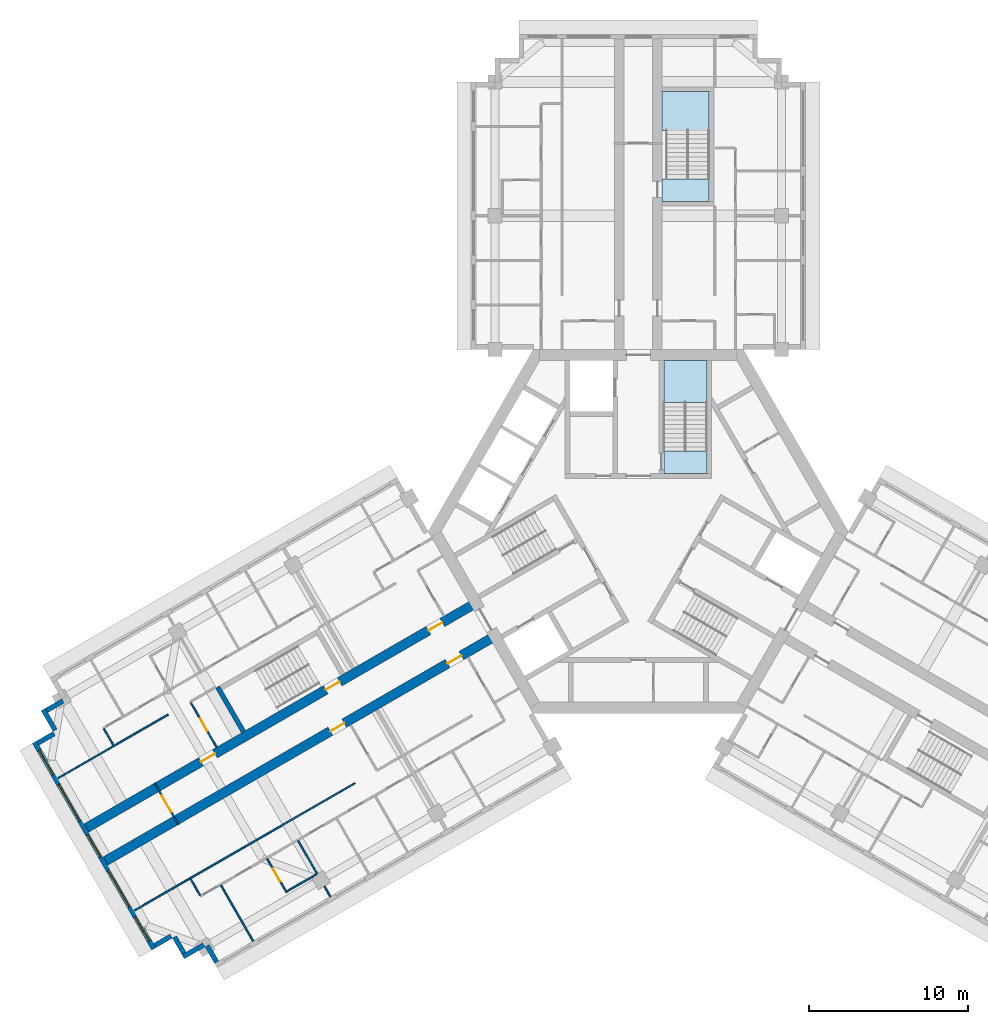
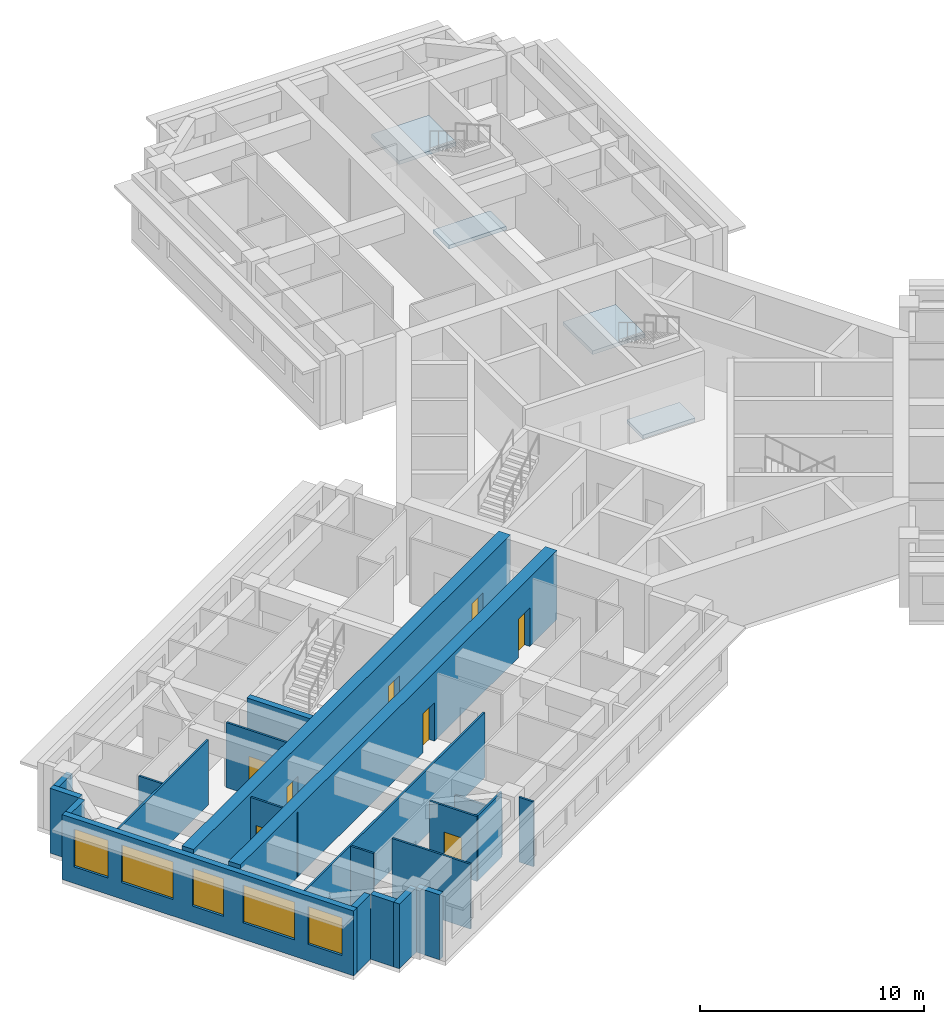
# One storey, part 2 of 12: 22 walls, 8 doors, 5 windows, 4 slabs, 13 openings, 2 elements without a shape of their own.
"""IFC4 building model written with IfcOpenShell, lengths in metres."""

from ifc_helpers import new_model, si_unit, direction, frame, frame_2d, origin, place, context, subcontext, project, spatial, polyline, rectangle, outline, extrude, material, layer, layer_set, type_object, element, fill, aggregate, save


model = new_model("IFC4")

# Units and contexts
model_context = context("Model", 3, precision=1e-05, world=origin(), true_north=direction((0.0, 1.0)))
body_context = subcontext(model_context, "Body", "Model", "MODEL_VIEW")
ifc_project = project(units=[si_unit("LENGTHUNIT", "METRE"), si_unit("AREAUNIT", "SQUARE_METRE"), si_unit("VOLUMEUNIT", "CUBIC_METRE"), si_unit("PLANEANGLEUNIT", "RADIAN"), si_unit("MASSUNIT", "GRAM", prefix="KILO")], contexts=[model_context])

# Site, building, storey
site_placement = place(None, origin())
site = spatial("IfcSite", under=ifc_project, at=site_placement, CompositionType="ELEMENT")
building_placement = place(site_placement, origin())
building = spatial("IfcBuilding", under=site, at=building_placement, Name="Impinga Residences", CompositionType="ELEMENT")
storey_placement = place(building_placement, frame((0.0, 0.0, 214.75)))
storey = spatial("IfcBuildingStorey", under=building, at=storey_placement, Name="L53", CompositionType="ELEMENT", Elevation=214.75)

# Stair, slabs
ifc_material_1 = material(Name="Concrete C40/50", Category="concrete")
stair_type_1 = type_object("IfcStairType", Name="STR core stair 3750 storey, 24 risers", PredefinedType="HALF_TURN_STAIR", material=ifc_material_1)
stair_1_placement = place(storey_placement, origin())
stair_1 = element("IfcStair", 1, at=stair_1_placement, inside=storey, type_object=stair_type_1, Name="Stair ST1 L53", PredefinedType="HALF_TURN_STAIR")
ifc_layer_1 = layer(ifc_material_1, 0.199951171875)
ifc_layer_set_1 = layer_set([ifc_layer_1], Name="Concrete C40/50")
slab_type = type_object("IfcSlabType", Name="LS1 stair landing 200", PredefinedType="LANDING", material=ifc_layer_set_1)
slab_1_placement = place(storey_placement, frame((0.0, 0.0, -0.199951171875)))
slab_1 = element("IfcSlab", 2, at=slab_1_placement, type_object=slab_type, Name="ST1 landing 1", PredefinedType="LANDING", context=body_context, shape_type="SweptSolid", body=[
    extrude(outline(polyline([(1.60009765625, 3.6298828125), (4.300048828125, 3.6298828125), (4.300048828125, 5.0400390625), (1.60009765625, 5.0400390625), (1.60009765625, 3.6298828125)])), origin(), (0.0, 0.0, 1.0), 0.199951171875),
])
slab_2_placement = place(storey_placement, frame((0.0, 0.0, 1.675048828125)))
slab_2 = element("IfcSlab", 3, at=slab_2_placement, type_object=slab_type, Name="ST1 landing 2", PredefinedType="LANDING", context=body_context, shape_type="SweptSolid", body=[
    extrude(outline(polyline([(1.60009765625, 8.10009765625), (4.300048828125, 8.10009765625), (4.300048828125, 10.7314453125), (1.60009765625, 10.7314453125), (1.60009765625, 8.10009765625)])), origin(), (0.0, 0.0, 1.0), 0.199951171875),
])
aggregate(stair_1, [slab_1, slab_2])

stair_type_2 = type_object("IfcStairType", Name="STR wing stair 3750 storey, 24 risers", PredefinedType="HALF_TURN_STAIR", material=ifc_material_1)
stair_2_placement = place(storey_placement, origin())
stair_2 = element("IfcStair", 4, at=stair_2_placement, inside=storey, type_object=stair_type_2, Name="Stair WS1 L53", PredefinedType="HALF_TURN_STAIR")
slab_3_placement = place(storey_placement, frame((0.0, 0.0, -0.199951171875)))
slab_3 = element("IfcSlab", 5, at=slab_3_placement, type_object=slab_type, Name="WS1 landing 1", PredefinedType="LANDING", context=body_context, shape_type="SweptSolid", body=[
    extrude(outline(polyline([(1.5, 20.7314453125), (4.449951171875, 20.7314453125), (4.449951171875, 22.1416015625), (1.5, 22.1416015625), (1.5, 20.7314453125)])), origin(), (0.0, 0.0, 1.0), 0.199951171875),
])
slab_4_placement = place(storey_placement, frame((0.0, 0.0, 1.675048828125)))
slab_4 = element("IfcSlab", 6, at=slab_4_placement, type_object=slab_type, Name="WS1 landing 2", PredefinedType="LANDING", context=body_context, shape_type="SweptSolid", body=[
    extrude(outline(polyline([(1.5, 25.201416015625), (4.449951171875, 25.201416015625), (4.449951171875, 27.631591796875), (1.5, 27.631591796875), (1.5, 25.201416015625)])), origin(), (0.0, 0.0, 1.0), 0.199951171875),
])
aggregate(stair_2, [slab_3, slab_4])

# Wall, openings, doors
ifc_material_2 = material(Name="Concrete C60/75", Category="concrete")
ifc_layer_2 = layer(ifc_material_2, 0.60009765625)
ifc_layer_set_2 = layer_set([ifc_layer_2], Name="Concrete C60/75")
wall_type_1 = type_object("IfcWallType", Name="BW3 corridor buttress wall, L46 to L73 600", PredefinedType="SHEAR", material=ifc_layer_set_2)
wall_1_placement = place(storey_placement, frame((-8.996826171875, -6.580078125, 0.0), z_axis=(0.0, 0.0, 1.0), x_axis=(-0.866026415941, -0.499998246889, 0.0)))
wall_1 = element("IfcWall", 7, at=wall_1_placement, inside=storey, type_object=wall_type_1, Name="Corridor wall BW3 WC L53", PredefinedType="SHEAR", context=body_context, shape_type="SweptSolid", body=[
    extrude(rectangle(XDim=28.25, YDim=0.60009765625, at=frame_2d((14.125, 0.0))), origin(), (0.0, 0.0, 1.0), 3.75),
])
opening_1_placement = place(wall_1_placement, frame((2.449951171875, 0.0, 0.0)))
opening_1 = element("IfcOpeningElement", 8, at=opening_1_placement, cuts=wall_1, Name="Opening D1", PredefinedType="OPENING", context=body_context, shape_type="SweptSolid", body=[
    extrude(rectangle(XDim=1.0, YDim=2.10009765625, at=frame_2d((0.5, 1.050048828125))), frame((0.0, 0.31005859375, 0.0), z_axis=(0.0, -1.0, 0.0), x_axis=(1.0, 0.0, 0.0)), (0.0, 0.0, 1.0), 0.6201171875),
])
opening_2_placement = place(wall_1_placement, frame((10.949951171875, 0.0, 0.0)))
opening_2 = element("IfcOpeningElement", 9, at=opening_2_placement, cuts=wall_1, Name="Opening D1", PredefinedType="OPENING", context=body_context, shape_type="SweptSolid", body=[
    extrude(rectangle(XDim=1.0, YDim=2.10009765625, at=frame_2d((0.5, 1.050048828125))), frame((0.0, 0.31005859375, 0.0), z_axis=(0.0, -1.0, 0.0), x_axis=(1.0, 0.0, 0.0)), (0.0, 0.0, 1.0), 0.6201171875),
])
ifc_material_3 = material(Name="Timber door set", Category="wood")
door_type_1 = type_object("IfcDoorType", Name="D1 apartment entrance door 1000x2100", OperationType="SINGLE_SWING_LEFT", PredefinedType="DOOR", material=ifc_material_3)
door_1_placement = place(opening_1_placement, origin())
door_1 = element("IfcDoor", 10, at=door_1_placement, inside=storey, type_object=door_type_1, Name="Apartment L53-WA1 entrance", OperationType="SINGLE_SWING_LEFT", OverallHeight=2.10009765625, OverallWidth=1.0, PredefinedType="DOOR", context=body_context, shape_type="SweptSolid", body=[
    extrude(rectangle(XDim=1.0, YDim=2.10009765625, at=frame_2d((0.5, 1.050048828125))), frame((0.0, 0.02490234375, 0.0), z_axis=(0.0, -1.0, 0.0), x_axis=(1.0, 0.0, 0.0)), (0.0, 0.0, 1.0), 0.050048828125),
])
fill(opening_1, door_1)
door_2_placement = place(opening_2_placement, origin())
door_2 = element("IfcDoor", 11, at=door_2_placement, inside=storey, type_object=door_type_1, Name="Apartment L53-WA2 entrance", OperationType="SINGLE_SWING_LEFT", OverallHeight=2.10009765625, OverallWidth=1.0, PredefinedType="DOOR", context=body_context, shape_type="SweptSolid", body=[
    extrude(rectangle(XDim=1.0, YDim=2.10009765625, at=frame_2d((0.5, 1.050048828125))), frame((0.0, 0.02490234375, 0.0), z_axis=(0.0, -1.0, 0.0), x_axis=(1.0, 0.0, 0.0)), (0.0, 0.0, 1.0), 0.050048828125),
])
fill(opening_2, door_2)

wall_2_placement = place(storey_placement, frame((-10.19677734375, -4.50146484375, 0.0), z_axis=(0.0, 0.0, 1.0), x_axis=(-0.866026415941, -0.499998246889, 0.0)))
wall_2 = element("IfcWall", 12, at=wall_2_placement, inside=storey, type_object=wall_type_1, Name="Corridor wall BW3 WD L53", PredefinedType="SHEAR", context=body_context, shape_type="SweptSolid", body=[
    extrude(rectangle(XDim=28.25, YDim=0.60009765625, at=frame_2d((14.125, 0.0))), origin(), (0.0, 0.0, 1.0), 3.75),
])
opening_3_placement = place(wall_2_placement, frame((9.89990234375, 0.0, 0.0)))
opening_3 = element("IfcOpeningElement", 13, at=opening_3_placement, cuts=wall_2, Name="Opening D5", PredefinedType="OPENING", context=body_context, shape_type="SweptSolid", body=[
    extrude(rectangle(XDim=1.0, YDim=2.10009765625, at=frame_2d((0.5, 1.050048828125))), frame((0.0, 0.31005859375, 0.0), z_axis=(0.0, -1.0, 0.0), x_axis=(1.0, 0.0, 0.0)), (0.0, 0.0, 1.0), 0.6201171875),
])
opening_4_placement = place(wall_2_placement, frame((2.449951171875, 0.0, 0.0)))
opening_4 = element("IfcOpeningElement", 14, at=opening_4_placement, cuts=wall_2, Name="Opening D1", PredefinedType="OPENING", context=body_context, shape_type="SweptSolid", body=[
    extrude(rectangle(XDim=1.0, YDim=2.10009765625, at=frame_2d((0.5, 1.050048828125))), frame((0.0, 0.31005859375, 0.0), z_axis=(0.0, -1.0, 0.0), x_axis=(1.0, 0.0, 0.0)), (0.0, 0.0, 1.0), 0.6201171875),
])
opening_5_placement = place(wall_2_placement, frame((18.949951171875, 0.0, 0.0)))
opening_5 = element("IfcOpeningElement", 15, at=opening_5_placement, cuts=wall_2, Name="Opening D1", PredefinedType="OPENING", context=body_context, shape_type="SweptSolid", body=[
    extrude(rectangle(XDim=1.0, YDim=2.10009765625, at=frame_2d((0.5, 1.050048828125))), frame((0.0, 0.31005859375, 0.0), z_axis=(0.0, -1.0, 0.0), x_axis=(1.0, 0.0, 0.0)), (0.0, 0.0, 1.0), 0.6201171875),
])
door_3_placement = place(opening_4_placement, origin())
door_3 = element("IfcDoor", 16, at=door_3_placement, inside=storey, type_object=door_type_1, Name="Apartment L53-WF1 entrance", OperationType="SINGLE_SWING_LEFT", OverallHeight=2.10009765625, OverallWidth=1.0, PredefinedType="DOOR", context=body_context, shape_type="SweptSolid", body=[
    extrude(rectangle(XDim=1.0, YDim=2.10009765625, at=frame_2d((0.5, 1.050048828125))), frame((0.0, 0.02490234375, 0.0), z_axis=(0.0, -1.0, 0.0), x_axis=(1.0, 0.0, 0.0)), (0.0, 0.0, 1.0), 0.050048828125),
])
fill(opening_4, door_3)
door_4_placement = place(opening_5_placement, origin())
door_4 = element("IfcDoor", 17, at=door_4_placement, inside=storey, type_object=door_type_1, Name="Apartment L53-WF2 entrance", OperationType="SINGLE_SWING_RIGHT", OverallHeight=2.10009765625, OverallWidth=1.0, PredefinedType="DOOR", context=body_context, shape_type="SweptSolid", body=[
    extrude(rectangle(XDim=1.0, YDim=2.10009765625, at=frame_2d((0.5, 1.050048828125))), frame((0.0, 0.02490234375, 0.0), z_axis=(0.0, -1.0, 0.0), x_axis=(1.0, 0.0, 0.0)), (0.0, 0.0, 1.0), 0.050048828125),
])
fill(opening_5, door_4)
door_type_2 = type_object("IfcDoorType", Name="D5 stair door 1000x2100", OperationType="SINGLE_SWING_LEFT", PredefinedType="DOOR", material=ifc_material_3)
door_5_placement = place(opening_3_placement, origin())
door_5 = element("IfcDoor", 18, at=door_5_placement, inside=storey, type_object=door_type_2, Name="Wing stair door W", OperationType="SINGLE_SWING_LEFT", OverallHeight=2.10009765625, OverallWidth=1.0, PredefinedType="DOOR", context=body_context, shape_type="SweptSolid", body=[
    extrude(rectangle(XDim=1.0, YDim=2.10009765625, at=frame_2d((0.5, 1.050048828125))), frame((0.0, 0.02490234375, 0.0), z_axis=(0.0, -1.0, 0.0), x_axis=(1.0, 0.0, 0.0)), (0.0, 0.0, 1.0), 0.050048828125),
])
fill(opening_3, door_5)

# Wall, opening, door
ifc_material_4 = material(Name="Concrete blockwork", Category="masonry")
ifc_layer_3 = layer(ifc_material_4, 0.10009765625)
ifc_layer_set_3 = layer_set([ifc_layer_3], Name="CP1 core room partition, blockwork 100")
wall_type_2 = type_object("IfcWallType", Name="CP1 core room partition, blockwork 100", PredefinedType="PARTITIONING", material=ifc_layer_set_3)
wall_3_placement = place(storey_placement, frame((-28.895263671875, -18.414794921875, 0.0), z_axis=(0.0, 0.0, 1.0), x_axis=(-0.499990139034, 0.866031096941, 0.0)))
wall_3 = element("IfcWall", 19, at=wall_3_placement, inside=storey, type_object=wall_type_2, Name="Core room partition, blockwork L53:W:LNG", PredefinedType="PARTITIONING", context=body_context, shape_type="SweptSolid", body=[
    extrude(rectangle(XDim=3.0, YDim=0.10009765625, at=frame_2d((1.5, 0.0))), origin(), (0.0, 0.0, 1.0), 3.530029296875),
])
opening_6_placement = place(wall_3_placement, frame((0.89990234375, 0.0, 0.0)))
opening_6 = element("IfcOpeningElement", 20, at=opening_6_placement, cuts=wall_3, Name="Opening D3", PredefinedType="OPENING", context=body_context, shape_type="SweptSolid", body=[
    extrude(rectangle(XDim=1.199951171875, YDim=2.10009765625, at=frame_2d((0.60009765625, 1.050048828125))), frame((0.0, 0.06005859375, 0.0), z_axis=(0.0, -1.0, 0.0), x_axis=(1.0, 0.0, 0.0)), (0.0, 0.0, 1.0), 0.1201171875),
])
door_type_3 = type_object("IfcDoorType", Name="D3 room door, leaf and a half 1200x2100", OperationType="DOUBLE_SWING_LEFT", PredefinedType="DOOR", material=ifc_material_3)
door_6_placement = place(opening_6_placement, origin())
door_6 = element("IfcDoor", 21, at=door_6_placement, inside=storey, type_object=door_type_3, Name="Residents' lounge door W", OperationType="DOUBLE_SWING_LEFT", OverallHeight=2.10009765625, OverallWidth=1.199951171875, PredefinedType="DOOR", context=body_context, shape_type="SweptSolid", body=[
    extrude(rectangle(XDim=1.199951171875, YDim=2.10009765625, at=frame_2d((0.60009765625, 1.050048828125))), frame((0.0, 0.02490234375, 0.0), z_axis=(0.0, -1.0, 0.0), x_axis=(1.0, 0.0, 0.0)), (0.0, 0.0, 1.0), 0.050048828125),
])
fill(opening_6, door_6)

# Walls
ifc_material_5 = material(Name="Terracotta rainscreen on blockwork", Category="masonry")
ifc_layer_4 = layer(ifc_material_5, 0.300048828125)
ifc_layer_set_4 = layer_set([ifc_layer_4], Name="EW1 external wall, terracotta rainscreen on blockwork 300")
wall_type_3 = type_object("IfcWallType", Name="EW1 external wall, terracotta rainscreen on blockwork 300", PredefinedType="SOLIDWALL", material=ifc_layer_set_4)
wall_4_placement = place(storey_placement, frame((-26.493896484375, -27.07421875, 0.0), z_axis=(0.0, 0.0, 1.0), x_axis=(-0.500033551112, 0.866006032174, 0.0)))
element("IfcWall", 22, at=wall_4_placement, inside=storey, type_object=wall_type_3, Name="External wall EW1 L53", PredefinedType="SOLIDWALL", context=body_context, shape_type="SweptSolid", body=[
    extrude(rectangle(XDim=1.2001953125, YDim=0.300048828125, at=frame_2d((0.60009765625, 0.0))), origin(), (0.0, 0.0, 1.0), 3.530029296875),
])
wall_5_placement = place(storey_placement, frame((-27.30322265625, -25.982666015625, 0.0), z_axis=(0.0, 0.0, 1.0), x_axis=(-0.866074087889, -0.499915667175, 0.0)))
element("IfcWall", 23, at=wall_5_placement, inside=storey, type_object=wall_type_3, Name="External wall EW1 L53", PredefinedType="SOLIDWALL", context=body_context, shape_type="SweptSolid", body=[
    extrude(rectangle(XDim=1.494873046875, YDim=0.300048828125, at=frame_2d((0.74755859375, 0.0))), origin(), (0.0, 0.0, 1.0), 3.530029296875),
])
wall_6_placement = place(storey_placement, frame((-28.54296875, -26.525146484375, 0.0), z_axis=(0.0, 0.0, 1.0), x_axis=(-0.500033551112, 0.866006032174, 0.0)))
element("IfcWall", 24, at=wall_6_placement, inside=storey, type_object=wall_type_3, Name="External wall EW1 L53", PredefinedType="SOLIDWALL", context=body_context, shape_type="SweptSolid", body=[
    extrude(rectangle(XDim=1.2001953125, YDim=0.300048828125, at=frame_2d((0.60009765625, 0.0))), origin(), (0.0, 0.0, 1.0), 3.530029296875),
])
wall_7_placement = place(storey_placement, frame((-29.352294921875, -25.43359375, 0.0), z_axis=(0.0, 0.0, 1.0), x_axis=(-0.866059708757, -0.499940577336, 0.0)))
element("IfcWall", 25, at=wall_7_placement, inside=storey, type_object=wall_type_3, Name="External wall EW1 L53", PredefinedType="SOLIDWALL", context=body_context, shape_type="SweptSolid", body=[
    extrude(rectangle(XDim=1.195068359375, YDim=0.300048828125, at=frame_2d((0.59765625, 0.0))), origin(), (0.0, 0.0, 1.0), 3.530029296875),
])

# Wall, openings, windows
wall_8_placement = place(storey_placement, frame((-30.44189453125, -26.23583984375, 0.0), z_axis=(0.0, 0.0, 1.0), x_axis=(-0.500004234368, 0.866022959057, 0.0)))
wall_8 = element("IfcWall", 26, at=wall_8_placement, inside=storey, type_object=wall_type_3, Name="External wall EW1 L53", PredefinedType="SOLIDWALL", context=body_context, shape_type="SweptSolid", body=[
    extrude(rectangle(XDim=14.999755859375, YDim=0.300048828125, at=frame_2d((7.5, 0.0))), origin(), (0.0, 0.0, 1.0), 3.530029296875),
])
opening_7_placement = place(wall_8_placement, frame((0.60009765625, 0.0, 0.89990234375)))
opening_7 = element("IfcOpeningElement", 27, at=opening_7_placement, cuts=wall_8, Name="Opening W1", PredefinedType="OPENING", context=body_context, shape_type="SweptSolid", body=[
    extrude(rectangle(XDim=1.75, YDim=2.050048828125, at=frame_2d((0.875, 1.02490234375))), frame((0.0, 0.159912109375, 0.0), z_axis=(0.0, -1.0, 0.0), x_axis=(1.0, 0.0, 0.0)), (0.0, 0.0, 1.0), 0.320068359375),
])
opening_8_placement = place(wall_8_placement, frame((3.050048828125, 0.0, 0.89990234375)))
opening_8 = element("IfcOpeningElement", 28, at=opening_8_placement, cuts=wall_8, Name="Opening W18", PredefinedType="OPENING", context=body_context, shape_type="SweptSolid", body=[
    extrude(rectangle(XDim=2.64990234375, YDim=2.050048828125, at=frame_2d((1.324951171875, 1.02490234375))), frame((0.0, 0.159912109375, 0.0), z_axis=(0.0, -1.0, 0.0), x_axis=(1.0, 0.0, 0.0)), (0.0, 0.0, 1.0), 0.320068359375),
])
opening_9_placement = place(wall_8_placement, frame((6.699951171875, 0.0, 0.89990234375)))
opening_9 = element("IfcOpeningElement", 29, at=opening_9_placement, cuts=wall_8, Name="Opening W19", PredefinedType="OPENING", context=body_context, shape_type="SweptSolid", body=[
    extrude(rectangle(XDim=1.60009765625, YDim=2.050048828125, at=frame_2d((0.800048828125, 1.02490234375))), frame((0.0, 0.159912109375, 0.0), z_axis=(0.0, -1.0, 0.0), x_axis=(1.0, 0.0, 0.0)), (0.0, 0.0, 1.0), 0.320068359375),
])
opening_10_placement = place(wall_8_placement, frame((9.300048828125, 0.0, 0.89990234375)))
opening_10 = element("IfcOpeningElement", 30, at=opening_10_placement, cuts=wall_8, Name="Opening W18", PredefinedType="OPENING", context=body_context, shape_type="SweptSolid", body=[
    extrude(rectangle(XDim=2.64990234375, YDim=2.050048828125, at=frame_2d((1.324951171875, 1.02490234375))), frame((0.0, 0.159912109375, 0.0), z_axis=(0.0, -1.0, 0.0), x_axis=(1.0, 0.0, 0.0)), (0.0, 0.0, 1.0), 0.320068359375),
])
opening_11_placement = place(wall_8_placement, frame((12.64990234375, 0.0, 0.89990234375)))
opening_11 = element("IfcOpeningElement", 31, at=opening_11_placement, cuts=wall_8, Name="Opening W1", PredefinedType="OPENING", context=body_context, shape_type="SweptSolid", body=[
    extrude(rectangle(XDim=1.75, YDim=2.050048828125, at=frame_2d((0.875, 1.02490234375))), frame((0.0, 0.159912109375, 0.0), z_axis=(0.0, -1.0, 0.0), x_axis=(1.0, 0.0, 0.0)), (0.0, 0.0, 1.0), 0.320068359375),
])
ifc_material_6 = material(Name="Aluminium window, clear double glazing", Category="aluminium")
window_type_1 = type_object("IfcWindowType", Name="W1 ribbon window 1750x2050", PartitioningType="SINGLE_PANEL", PredefinedType="WINDOW", material=ifc_material_6)
window_1_placement = place(opening_7_placement, origin())
window_1 = element("IfcWindow", 32, at=window_1_placement, inside=storey, type_object=window_type_1, Name="Window L53", OverallHeight=2.050048828125, OverallWidth=1.75, PartitioningType="SINGLE_PANEL", PredefinedType="WINDOW", context=body_context, shape_type="SweptSolid", body=[
    extrude(rectangle(XDim=1.75, YDim=2.050048828125, at=frame_2d((0.875, 1.02490234375))), frame((0.0, 0.030029296875, 0.0), z_axis=(0.0, -1.0, 0.0), x_axis=(1.0, 0.0, 0.0)), (0.0, 0.0, 1.0), 0.06005859375),
])
fill(opening_7, window_1)
window_2_placement = place(opening_11_placement, origin())
window_2 = element("IfcWindow", 33, at=window_2_placement, inside=storey, type_object=window_type_1, Name="Window L53", OverallHeight=2.050048828125, OverallWidth=1.75, PartitioningType="SINGLE_PANEL", PredefinedType="WINDOW", context=body_context, shape_type="SweptSolid", body=[
    extrude(rectangle(XDim=1.75, YDim=2.050048828125, at=frame_2d((0.875, 1.02490234375))), frame((0.0, 0.030029296875, 0.0), z_axis=(0.0, -1.0, 0.0), x_axis=(1.0, 0.0, 0.0)), (0.0, 0.0, 1.0), 0.06005859375),
])
fill(opening_11, window_2)
window_type_2 = type_object("IfcWindowType", Name="W18 ribbon window 2650x2050", PartitioningType="SINGLE_PANEL", PredefinedType="WINDOW", material=ifc_material_6)
window_3_placement = place(opening_8_placement, origin())
window_3 = element("IfcWindow", 34, at=window_3_placement, inside=storey, type_object=window_type_2, Name="Window L53", OverallHeight=2.050048828125, OverallWidth=2.64990234375, PartitioningType="SINGLE_PANEL", PredefinedType="WINDOW", context=body_context, shape_type="SweptSolid", body=[
    extrude(rectangle(XDim=2.64990234375, YDim=2.050048828125, at=frame_2d((1.324951171875, 1.02490234375))), frame((0.0, 0.030029296875, 0.0), z_axis=(0.0, -1.0, 0.0), x_axis=(1.0, 0.0, 0.0)), (0.0, 0.0, 1.0), 0.06005859375),
])
fill(opening_8, window_3)
window_4_placement = place(opening_10_placement, origin())
window_4 = element("IfcWindow", 35, at=window_4_placement, inside=storey, type_object=window_type_2, Name="Window L53", OverallHeight=2.050048828125, OverallWidth=2.64990234375, PartitioningType="SINGLE_PANEL", PredefinedType="WINDOW", context=body_context, shape_type="SweptSolid", body=[
    extrude(rectangle(XDim=2.64990234375, YDim=2.050048828125, at=frame_2d((1.324951171875, 1.02490234375))), frame((0.0, 0.030029296875, 0.0), z_axis=(0.0, -1.0, 0.0), x_axis=(1.0, 0.0, 0.0)), (0.0, 0.0, 1.0), 0.06005859375),
])
fill(opening_10, window_4)
window_type_3 = type_object("IfcWindowType", Name="W19 ribbon window 1600x2050", PartitioningType="SINGLE_PANEL", PredefinedType="WINDOW", material=ifc_material_6)
window_5_placement = place(opening_9_placement, origin())
window_5 = element("IfcWindow", 36, at=window_5_placement, inside=storey, type_object=window_type_3, Name="Window L53", OverallHeight=2.050048828125, OverallWidth=1.60009765625, PartitioningType="SINGLE_PANEL", PredefinedType="WINDOW", context=body_context, shape_type="SweptSolid", body=[
    extrude(rectangle(XDim=1.60009765625, YDim=2.050048828125, at=frame_2d((0.800048828125, 1.02490234375))), frame((0.0, 0.030029296875, 0.0), z_axis=(0.0, -1.0, 0.0), x_axis=(1.0, 0.0, 0.0)), (0.0, 0.0, 1.0), 0.06005859375),
])
fill(opening_9, window_5)

# Walls
wall_9_placement = place(storey_placement, frame((-37.737060546875, -13.300537109375, 0.0), z_axis=(0.0, 0.0, 1.0), x_axis=(0.865971243484, 0.500093796661, 0.0)))
element("IfcWall", 37, at=wall_9_placement, inside=storey, type_object=wall_type_3, Name="External wall EW1 L53", PredefinedType="SOLIDWALL", context=body_context, shape_type="SweptSolid", body=[
    extrude(rectangle(XDim=1.195068359375, YDim=0.300048828125, at=frame_2d((0.59765625, 0.0))), origin(), (0.0, 0.0, 1.0), 3.530029296875),
])
wall_10_placement = place(storey_placement, frame((-36.64306640625, -12.49560546875, 0.0), z_axis=(0.0, 0.0, 1.0), x_axis=(-0.499990139034, 0.866031096941, 0.0)))
element("IfcWall", 38, at=wall_10_placement, inside=storey, type_object=wall_type_3, Name="External wall EW1 L53", PredefinedType="SOLIDWALL", context=body_context, shape_type="SweptSolid", body=[
    extrude(rectangle(XDim=1.5, YDim=0.300048828125, at=frame_2d((0.75, 0.0))), origin(), (0.0, 0.0, 1.0), 3.530029296875),
])
wall_11_placement = place(storey_placement, frame((-37.18798828125, -11.25146484375, 0.0), z_axis=(0.0, 0.0, 1.0), x_axis=(0.866059708757, 0.499940577336, 0.0)))
element("IfcWall", 39, at=wall_11_placement, inside=storey, type_object=wall_type_3, Name="External wall EW1 L53", PredefinedType="SOLIDWALL", context=body_context, shape_type="SweptSolid", body=[
    extrude(rectangle(XDim=1.195068359375, YDim=0.300048828125, at=frame_2d((0.59765625, 0.0))), origin(), (0.0, 0.0, 1.0), 3.530029296875),
])
ifc_material_7 = material(Name="Gypsum board on steel studs", Category="steel")
ifc_layer_5 = layer(ifc_material_7, 0.10009765625)
ifc_layer_set_5 = layer_set([ifc_layer_5], Name="Gypsum board on steel studs")
wall_type_4 = type_object("IfcWallType", Name="IP1 partition 100", PredefinedType="PARTITIONING", material=ifc_layer_set_5)
wall_12_placement = place(storey_placement, frame((-17.8056640625, -15.82275390625, 0.0), z_axis=(0.0, 0.0, 1.0), x_axis=(-0.866026010844, -0.49999894854, 0.0)))
element("IfcWall", 40, at=wall_12_placement, inside=storey, type_object=wall_type_4, Name="Partition L53-WA2:DIV1", PredefinedType="PARTITIONING", context=body_context, shape_type="SweptSolid", body=[
    extrude(rectangle(XDim=16.0, YDim=0.10009765625, at=frame_2d((8.0, 0.0))), origin(), (0.0, 0.0, 1.0), 3.530029296875),
])
wall_13_placement = place(storey_placement, frame((-28.129638671875, -21.841064453125, 0.0), z_axis=(0.0, 0.0, 1.0), x_axis=(0.499969057507, -0.866043267704, 0.0)))
element("IfcWall", 41, at=wall_13_placement, inside=storey, type_object=wall_type_4, Name="Partition L53-WA2:SE1", PredefinedType="PARTITIONING", context=body_context, shape_type="SweptSolid", body=[
    extrude(rectangle(XDim=1.19970703125, YDim=0.10009765625, at=frame_2d((0.599853515625, 0.0))), origin(), (0.0, 0.0, 1.0), 3.530029296875),
])
wall_14_placement = place(storey_placement, frame((-21.374267578125, -19.44189453125, 0.0), z_axis=(0.0, 0.0, 1.0), x_axis=(0.500001309137, -0.866024647952, 0.0)))
element("IfcWall", 42, at=wall_14_placement, inside=storey, type_object=wall_type_4, Name="Partition L53-WA2:OB3", PredefinedType="PARTITIONING", context=body_context, shape_type="SweptSolid", body=[
    extrude(rectangle(XDim=2.39990234375, YDim=0.10009765625, at=frame_2d((1.199951171875, 0.0))), origin(), (0.0, 0.0, 1.0), 2.47998046875),
])
wall_15_placement = place(storey_placement, frame((-19.72412109375, -22.2998046875, 0.0), z_axis=(0.0, 0.0, 1.0), x_axis=(0.500060622324, -0.86599040064, 0.0)))
element("IfcWall", 43, at=wall_15_placement, inside=storey, type_object=wall_type_4, Name="Partition L53-WA2:OB3b", PredefinedType="PARTITIONING", context=body_context, shape_type="SweptSolid", body=[
    extrude(rectangle(XDim=0.75, YDim=0.10009765625, at=frame_2d((0.375, 0.0))), origin(), (0.0, 0.0, 1.0), 3.530029296875),
])
wall_16_placement = place(storey_placement, frame((-26.223876953125, -22.241943359375, 0.0), z_axis=(0.0, 0.0, 1.0), x_axis=(0.499990325971, -0.866030989016, 0.0)))
element("IfcWall", 44, at=wall_16_placement, inside=storey, type_object=wall_type_4, Name="Partition L53-WA2:OB4", PredefinedType="PARTITIONING", context=body_context, shape_type="SweptSolid", body=[
    extrude(rectangle(XDim=4.0498046875, YDim=0.10009765625, at=frame_2d((2.02490234375, 0.0))), origin(), (0.0, 0.0, 1.0), 3.530029296875),
])

# Wall, opening, door
wall_17_placement = place(storey_placement, frame((-23.32275390625, -20.56689453125, 0.0), z_axis=(0.0, 0.0, 1.0), x_axis=(0.499987006516, -0.866032905446, 0.0)))
wall_17 = element("IfcWall", 45, at=wall_17_placement, inside=storey, type_object=wall_type_4, Name="Partition L53-WA2:EN1", PredefinedType="PARTITIONING", context=body_context, shape_type="SweptSolid", body=[
    extrude(rectangle(XDim=2.44970703125, YDim=0.10009765625, at=frame_2d((1.224853515625, 0.0))), origin(), (0.0, 0.0, 1.0), 3.530029296875),
])
opening_12_placement = place(wall_17_placement, frame((0.75, 0.0, 0.0)))
opening_12 = element("IfcOpeningElement", 46, at=opening_12_placement, cuts=wall_17, Name="Opening D2", PredefinedType="OPENING", context=body_context, shape_type="SweptSolid", body=[
    extrude(rectangle(XDim=0.89990234375, YDim=2.10009765625, at=frame_2d((0.449951171875, 1.050048828125))), frame((0.0, 0.06005859375, 0.0), z_axis=(0.0, -1.0, 0.0), x_axis=(1.0, 0.0, 0.0)), (0.0, 0.0, 1.0), 0.1201171875),
])
door_type_4 = type_object("IfcDoorType", Name="D2 internal door 900x2100", OperationType="SINGLE_SWING_LEFT", PredefinedType="DOOR", material=ifc_material_3)
door_7_placement = place(opening_12_placement, origin())
door_7 = element("IfcDoor", 47, at=door_7_placement, inside=storey, type_object=door_type_4, Name="Apartment L53-WA2 en-suite door", OperationType="SINGLE_SWING_LEFT", OverallHeight=2.10009765625, OverallWidth=0.89990234375, PredefinedType="DOOR", context=body_context, shape_type="SweptSolid", body=[
    extrude(rectangle(XDim=0.89990234375, YDim=2.10009765625, at=frame_2d((0.449951171875, 1.050048828125))), frame((0.0, 0.02490234375, 0.0), z_axis=(0.0, -1.0, 0.0), x_axis=(1.0, 0.0, 0.0)), (0.0, 0.0, 1.0), 0.050048828125),
])
fill(opening_12, door_7)

# Walls
wall_18_placement = place(storey_placement, frame((-20.217529296875, -21.545166015625, 0.0), z_axis=(0.0, 0.0, 1.0), x_axis=(-0.865998386012, -0.500046793234, 0.0)))
element("IfcWall", 48, at=wall_18_placement, inside=storey, type_object=wall_type_4, Name="Partition L53-WA2:EN2", PredefinedType="PARTITIONING", context=body_context, shape_type="SweptSolid", body=[
    extrude(rectangle(XDim=2.150146484375, YDim=0.10009765625, at=frame_2d((1.0751953125, 0.0))), origin(), (0.0, 0.0, 1.0), 3.530029296875),
])
wall_19_placement = place(storey_placement, frame((-29.533935546875, -11.5087890625, 0.0), z_axis=(0.0, 0.0, 1.0), x_axis=(-0.866026010844, -0.49999894854, 0.0)))
element("IfcWall", 49, at=wall_19_placement, inside=storey, type_object=wall_type_4, Name="Partition L53-WF2:DIV2", PredefinedType="PARTITIONING", context=body_context, shape_type="SweptSolid", body=[
    extrude(rectangle(XDim=8.0, YDim=0.10009765625, at=frame_2d((4.0, 0.0))), origin(), (0.0, 0.0, 1.0), 3.530029296875),
])
wall_20_placement = place(storey_placement, frame((-32.979736328125, -13.4404296875, 0.0), z_axis=(0.0, 0.0, 1.0), x_axis=(-0.499969057507, 0.866043267704, 0.0)))
element("IfcWall", 50, at=wall_20_placement, inside=storey, type_object=wall_type_4, Name="Partition L53-WF2:SE1", PredefinedType="PARTITIONING", context=body_context, shape_type="SweptSolid", body=[
    extrude(rectangle(XDim=1.19970703125, YDim=0.10009765625, at=frame_2d((0.599853515625, 0.0))), origin(), (0.0, 0.0, 1.0), 3.530029296875),
])

# Wall, opening, door
wall_21_placement = place(storey_placement, frame((-26.498291015625, -13.566650390625, 0.0), z_axis=(0.0, 0.0, 1.0), x_axis=(-0.500017246033, 0.866015446554, 0.0)))
wall_21 = element("IfcWall", 51, at=wall_21_placement, inside=storey, type_object=wall_type_4, Name="Partition L53-WF2:IB1", PredefinedType="PARTITIONING", context=body_context, shape_type="SweptSolid", body=[
    extrude(rectangle(XDim=3.25, YDim=0.10009765625, at=frame_2d((1.625, 0.0))), origin(), (0.0, 0.0, 1.0), 3.530029296875),
])
opening_13_placement = place(wall_21_placement, frame((1.175048828125, 0.0, 0.0)))
opening_13 = element("IfcOpeningElement", 52, at=opening_13_placement, cuts=wall_21, Name="Opening D2", PredefinedType="OPENING", context=body_context, shape_type="SweptSolid", body=[
    extrude(rectangle(XDim=0.89990234375, YDim=2.10009765625, at=frame_2d((0.449951171875, 1.050048828125))), frame((0.0, 0.06005859375, 0.0), z_axis=(0.0, -1.0, 0.0), x_axis=(1.0, 0.0, 0.0)), (0.0, 0.0, 1.0), 0.1201171875),
])
door_8_placement = place(opening_13_placement, origin())
door_8 = element("IfcDoor", 53, at=door_8_placement, inside=storey, type_object=door_type_4, Name="Apartment L53-WF2 bathroom door", OperationType="SINGLE_SWING_LEFT", OverallHeight=2.10009765625, OverallWidth=0.89990234375, PredefinedType="DOOR", context=body_context, shape_type="SweptSolid", body=[
    extrude(rectangle(XDim=0.89990234375, YDim=2.10009765625, at=frame_2d((0.449951171875, 1.050048828125))), frame((0.0, 0.02490234375, 0.0), z_axis=(0.0, -1.0, 0.0), x_axis=(1.0, 0.0, 0.0)), (0.0, 0.0, 1.0), 0.050048828125),
])
fill(opening_13, door_8)

# Wall
ifc_layer_6 = layer(ifc_material_2, 0.300048828125)
ifc_layer_set_6 = layer_set([ifc_layer_6], Name="Concrete C60/75")
wall_type_5 = type_object("IfcWallType", Name="SE1 wing stair enclosure wall 300", PredefinedType="SOLIDWALL", material=ifc_layer_set_6)
wall_22_placement = place(storey_placement, frame((-24.8095703125, -12.591796875, 0.0), z_axis=(0.0, 0.0, 1.0), x_axis=(-0.499984717929, 0.866034226713, 0.0)))
element("IfcWall", 54, at=wall_22_placement, inside=storey, type_object=wall_type_5, Name="Stair enclosure wall SE1 W END1 L53", PredefinedType="SOLIDWALL", context=body_context, shape_type="SweptSolid", body=[
    extrude(rectangle(XDim=3.25, YDim=0.300048828125, at=frame_2d((1.625, 0.0))), origin(), (0.0, 0.0, 1.0), 3.75),
])

save(model, "model.ifc")
